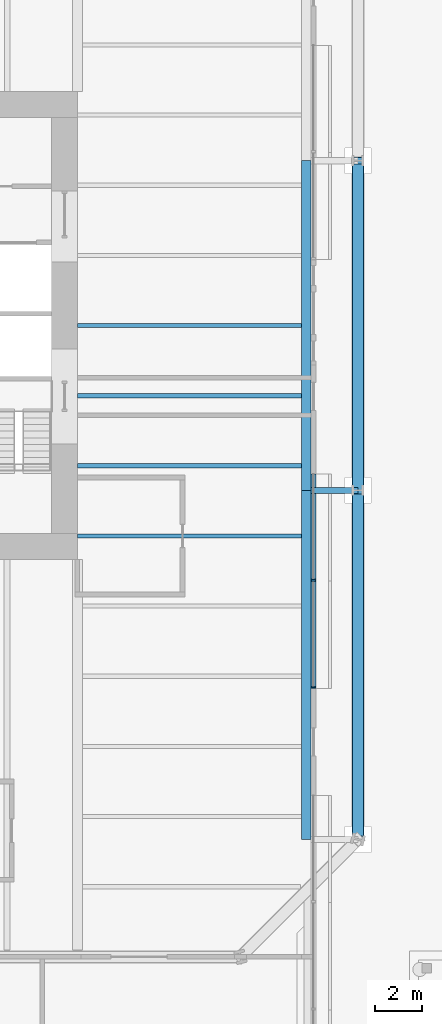
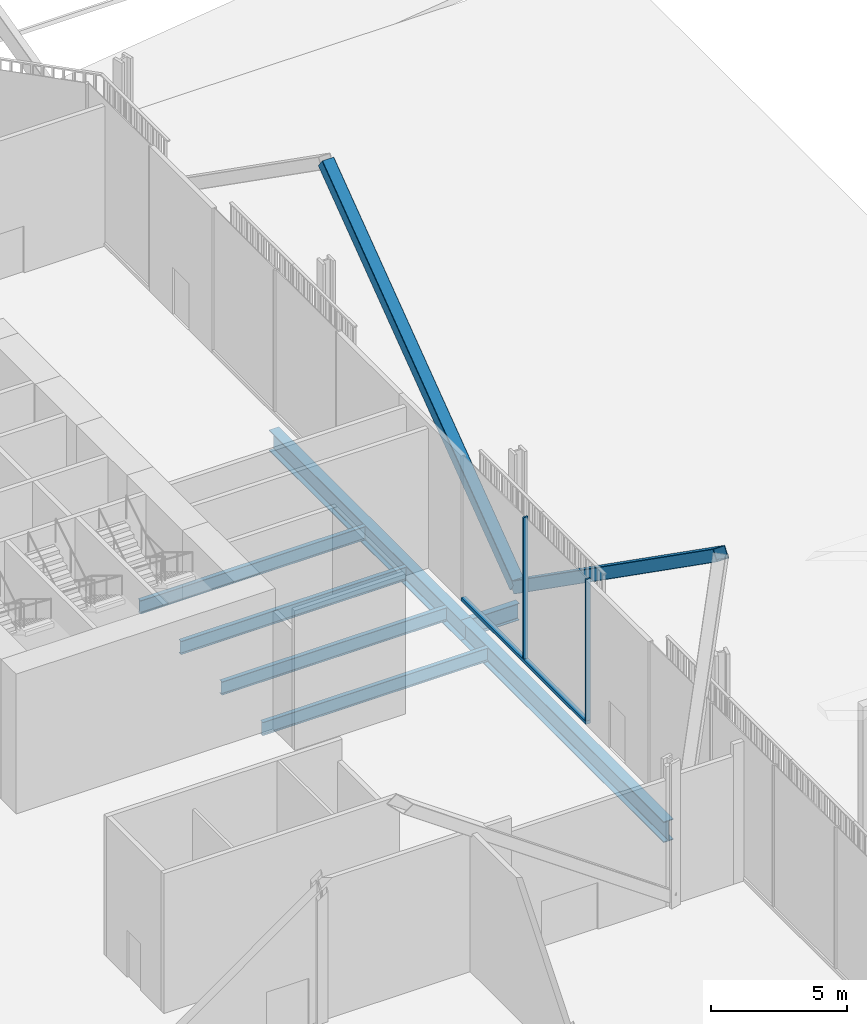
# One storey, part 8 of 28: 7 beams, 5 members, 1 element without a shape of its own.
"""IFC4 building model written with IfcOpenShell, lengths in metres."""

from ifc_helpers import new_model, si_unit, direction, frame, origin, origin_2d, place, context, subcontext, project, spatial, rectangle, hollow_rectangle, i_section, extrude, material, layer, layer_set, material_profile, profile_set, type_object, element, aggregate, save


model = new_model("IFC4")

# Units and contexts
model_context = context("Model", 3, precision=1e-05, world=origin(), true_north=direction((0.0, 1.0)))
body_context = subcontext(model_context, "Body", "Model", "MODEL_VIEW")
ifc_project = project(units=[si_unit("LENGTHUNIT", "METRE"), si_unit("AREAUNIT", "SQUARE_METRE"), si_unit("VOLUMEUNIT", "CUBIC_METRE"), si_unit("PLANEANGLEUNIT", "RADIAN"), si_unit("MASSUNIT", "GRAM", prefix="KILO")], contexts=[model_context])

# Site, building, storey
site_placement = place(None, origin())
site = spatial("IfcSite", under=ifc_project, at=site_placement, CompositionType="ELEMENT")
building_placement = place(site_placement, origin())
building = spatial("IfcBuilding", under=site, at=building_placement, Name="Millrace Tower", CompositionType="ELEMENT")
storey_placement = place(building_placement, origin())
storey = spatial("IfcBuildingStorey", under=building, at=storey_placement, Name="L01", CompositionType="ELEMENT", Elevation=0.0)

# Curtain wall, members
ifc_material_1 = material(Name="Aluminium and glass", Category="aluminium")
ifc_layer = layer(ifc_material_1, 0.199951171875)
ifc_layer_set = layer_set([ifc_layer], Name="Aluminium and glass")
curtain_wall_type = type_object("IfcCurtainWallType", Name="CW-6 lobby and cascade wing storefront", PredefinedType="NOTDEFINED", material=ifc_layer_set)
curtain_wall_placement = place(storey_placement, origin())
curtain_wall = element("IfcCurtainWall", 1, at=curtain_wall_placement, inside=storey, type_object=curtain_wall_type, Name="Curtain wall AW1-F02 L01", PredefinedType="NOTDEFINED")
ifc_material_2 = material(Name="Aluminium", Category="aluminium")
ifc_material_profile_1 = material_profile(ifc_material_2, rectangle(XDim=0.074951171875, YDim=0.199951171875, at=origin_2d()))
ifc_profile_set_1 = profile_set([ifc_material_profile_1], Name="Aluminium")
member_type_1 = type_object("IfcMemberType", Name="CW-6 lobby and cascade wing storefront mullion", PredefinedType="MULLION", material=ifc_profile_set_1)
member_1_placement = place(storey_placement, frame((25.10009765625, -15.479248046875, 0.14990234375), z_axis=(0.0, 0.0, 1.0), x_axis=(0.0, 1.0, 0.0)))
member_1 = element("IfcMember", 2, at=member_1_placement, type_object=member_type_1, Name="CW6 mullion AW1-F02.8", PredefinedType="MULLION", context=body_context, shape_type="SweptSolid", body=[
    extrude(rectangle(XDim=0.074951171875, YDim=0.199951171875, at=origin_2d()), origin(), (0.0, 0.0, 1.0), 6.35009765625),
])
member_2_placement = place(storey_placement, frame((25.10009765625, -10.895751953125, 0.14990234375), z_axis=(0.0, 0.0, 1.0), x_axis=(0.0, 1.0, 0.0)))
member_2 = element("IfcMember", 3, at=member_2_placement, type_object=member_type_1, Name="CW6 mullion AW1-F02.9", PredefinedType="MULLION", context=body_context, shape_type="SweptSolid", body=[
    extrude(rectangle(XDim=0.074951171875, YDim=0.199951171875, at=origin_2d()), origin(), (0.0, 0.0, 1.0), 6.35009765625),
])
ifc_material_3 = material(Name="Aluminium", Category="aluminium")
ifc_material_profile_2 = material_profile(ifc_material_3, rectangle(XDim=0.199951171875, YDim=0.14990234375, at=origin_2d()))
ifc_profile_set_2 = profile_set([ifc_material_profile_2], Name="Aluminium")
member_type_2 = type_object("IfcMemberType", Name="CW-6 lobby and cascade wing storefront transom", PredefinedType="USERDEFINED", material=ifc_profile_set_2)
member_3_placement = place(storey_placement, frame((25.10009765625, -15.5166015625, 0.074951171875), z_axis=(0.0, 1.0, 0.0), x_axis=(-1.0, 0.0, 0.0)))
member_3 = element("IfcMember", 4, at=member_3_placement, type_object=member_type_2, Name="CW6 transom AW1-F02.2", ObjectType="TRANSOM", PredefinedType="USERDEFINED", context=body_context, shape_type="SweptSolid", body=[
    extrude(rectangle(XDim=0.199951171875, YDim=0.14990234375, at=origin_2d()), origin(), (0.0, 0.0, 1.0), 9.16650390625),
])
aggregate(curtain_wall, [member_1, member_2, member_3])

# Members
ifc_material_4 = material(Name="Steel ASTM A500 Grade C", Category="steel")
ifc_material_profile_3 = material_profile(ifc_material_4, hollow_rectangle(XDim=0.508056640625, YDim=0.508056640625, WallThickness=0.022216796875, InnerFilletRadius=0.01123046875, OuterFilletRadius=0.033447265625, at=origin_2d()))
ifc_profile_set_3 = profile_set([ifc_material_profile_3], Name="Steel ASTM A500 Grade C")
member_type_3 = type_object("IfcMemberType", Name="Exoskeleton brace HSS20x20x7/8", PredefinedType="BRACE", material=ifc_profile_set_3)
member_4_placement = place(storey_placement, frame((27.0, -7.050048828125, 0.39990234375), z_axis=(0.0, -0.817940936421, 0.575302202783), x_axis=(1.0, 0.0, 0.0)))
element("IfcMember", 5, at=member_4_placement, inside=storey, type_object=member_type_3, Name="BRC-A-L01-06", PredefinedType="BRACE", context=body_context, shape_type="SweptSolid", body=[
    extrude(hollow_rectangle(XDim=0.508056640625, YDim=0.508056640625, WallThickness=0.022216796875, InnerFilletRadius=0.01123046875, OuterFilletRadius=0.033447265625, at=origin_2d()), origin(), (0.0, 0.0, 1.0), 18.251220703125),
])
member_5_placement = place(storey_placement, frame((27.0, -7.050048828125, 0.39990234375), z_axis=(0.0, 0.80204509192, 0.597263485011), x_axis=(-1.0, 0.0, 0.0)))
element("IfcMember", 6, at=member_5_placement, inside=storey, type_object=member_type_3, Name="BRC-A-L01-07", PredefinedType="BRACE", context=body_context, shape_type="SweptSolid", body=[
    extrude(hollow_rectangle(XDim=0.508056640625, YDim=0.508056640625, WallThickness=0.022216796875, InnerFilletRadius=0.01123046875, OuterFilletRadius=0.033447265625, at=origin_2d()), origin(), (0.0, 0.0, 1.0), 17.580078125),
])

# Beams
ifc_material_5 = material(Name="Steel ASTM A992 Grade 50", Category="steel")
ifc_material_profile_4 = material_profile(ifc_material_5, i_section(OverallWidth=0.177978515625, OverallDepth=0.599365234375, WebThickness=0.010009765625, FlangeThickness=0.012939453125, FilletRadius=0.012939453125, at=origin_2d()))
ifc_profile_set_4 = profile_set([ifc_material_profile_4], Name="Steel ASTM A992 Grade 50")
beam_type_1 = type_object("IfcBeamType", Name="Floor beam W24x55", PredefinedType="JOIST", material=ifc_profile_set_4)
for number, where, z_axis, x_axis, name in (
    (7, (15.0, -9.0, -0.599609375), (1.0, 0.0, 0.0), (0.0, 1.0, 0.0), "BM-A-L01-S1-S013"),
    (8, (15.0, -6.0, -0.599609375), (1.0, 0.0, 0.0), (0.0, 1.0, 0.0), "BM-A-L01-S1-S016"),
    (9, (15.0, -3.0, -0.599609375), (1.0, 0.0, 0.0), (0.0, 1.0, 0.0), "BM-A-L01-S1-S019"),
    (10, (15.0, 0.0, -0.599609375), (1.0, 0.0, 0.0), (0.0, 1.0, 0.0), "BM-A-L01-S1-S022"),
):
    element("IfcBeam", number, at=place(storey_placement, frame(where, z_axis=z_axis, x_axis=x_axis)), inside=storey, type_object=beam_type_1, Name=name, PredefinedType="JOIST", context=body_context, shape_type="SweptSolid", body=[
        extrude(i_section(OverallWidth=0.177978515625, OverallDepth=0.599365234375, WebThickness=0.010009765625, FlangeThickness=0.012939453125, FilletRadius=0.012939453125, at=origin_2d()), origin(), (0.0, 0.0, 1.0), 9.578369140625),
    ])
ifc_material_6 = material(Name="Steel ASTM A992 Grade 50", Category="steel")
ifc_material_profile_5 = material_profile(ifc_material_6, i_section(OverallWidth=0.2666015625, OverallDepth=0.7568359375, WebThickness=0.013916015625, FlangeThickness=0.019287109375, FilletRadius=0.0166015625, at=origin_2d()))
ifc_profile_set_5 = profile_set([ifc_material_profile_5], Name="Steel ASTM A992 Grade 50")
beam_type_2 = type_object("IfcBeamType", Name="Link beam W30x108", PredefinedType="BEAM", material=ifc_profile_set_5)
beam_1_placement = place(storey_placement, frame((25.0, -7.050048828125, -0.678466796875), z_axis=(1.0, 0.0, 0.0), x_axis=(0.0, 1.0, 0.0)))
element("IfcBeam", 11, at=beam_1_placement, inside=storey, type_object=beam_type_2, Name="LNK-A-L01-S1-11", PredefinedType="BEAM", context=body_context, shape_type="SweptSolid", body=[
    extrude(i_section(OverallWidth=0.2666015625, OverallDepth=0.7568359375, WebThickness=0.013916015625, FlangeThickness=0.019287109375, FilletRadius=0.0166015625, at=origin_2d()), origin(), (0.0, 0.0, 1.0), 2.0),
])
ifc_material_7 = material(Name="Steel ASTM A992 Grade 50", Category="steel")
ifc_material_profile_6 = material_profile(ifc_material_7, i_section(OverallWidth=0.421630859375, OverallDepth=0.937255859375, WebThickness=0.021240234375, FlangeThickness=0.03662109375, FilletRadius=0.024169921875, at=origin_2d()))
ifc_profile_set_6 = profile_set([ifc_material_profile_6], Name="Steel ASTM A992 Grade 50")
beam_type_3 = type_object("IfcBeamType", Name="Ring beam medium span W36x262", PredefinedType="SPANDREL", material=ifc_profile_set_6)
beam_2_placement = place(storey_placement, frame((24.7890625, 7.050048828125, -0.7685546875), z_axis=(0.0, -1.0, 0.0), x_axis=(1.0, 0.0, 0.0)))
element("IfcBeam", 12, at=beam_2_placement, inside=storey, type_object=beam_type_3, Name="RNG-A-L01-S1-10", PredefinedType="SPANDREL", context=body_context, shape_type="SweptSolid", body=[
    extrude(i_section(OverallWidth=0.421630859375, OverallDepth=0.937255859375, WebThickness=0.021240234375, FlangeThickness=0.03662109375, FilletRadius=0.024169921875, at=origin_2d()), origin(), (0.0, 0.0, 1.0), 14.10009765625),
])
beam_3_placement = place(storey_placement, frame((24.7890625, -7.050048828125, -0.7685546875), z_axis=(0.0, -1.0, 0.0), x_axis=(1.0, 0.0, 0.0)))
element("IfcBeam", 13, at=beam_3_placement, inside=storey, type_object=beam_type_3, Name="RNG-A-L01-S1-11", PredefinedType="SPANDREL", context=body_context, shape_type="SweptSolid", body=[
    extrude(i_section(OverallWidth=0.421630859375, OverallDepth=0.937255859375, WebThickness=0.021240234375, FlangeThickness=0.03662109375, FilletRadius=0.024169921875, at=origin_2d()), origin(), (0.0, 0.0, 1.0), 14.928466796875),
])

save(model, "model.ifc")
